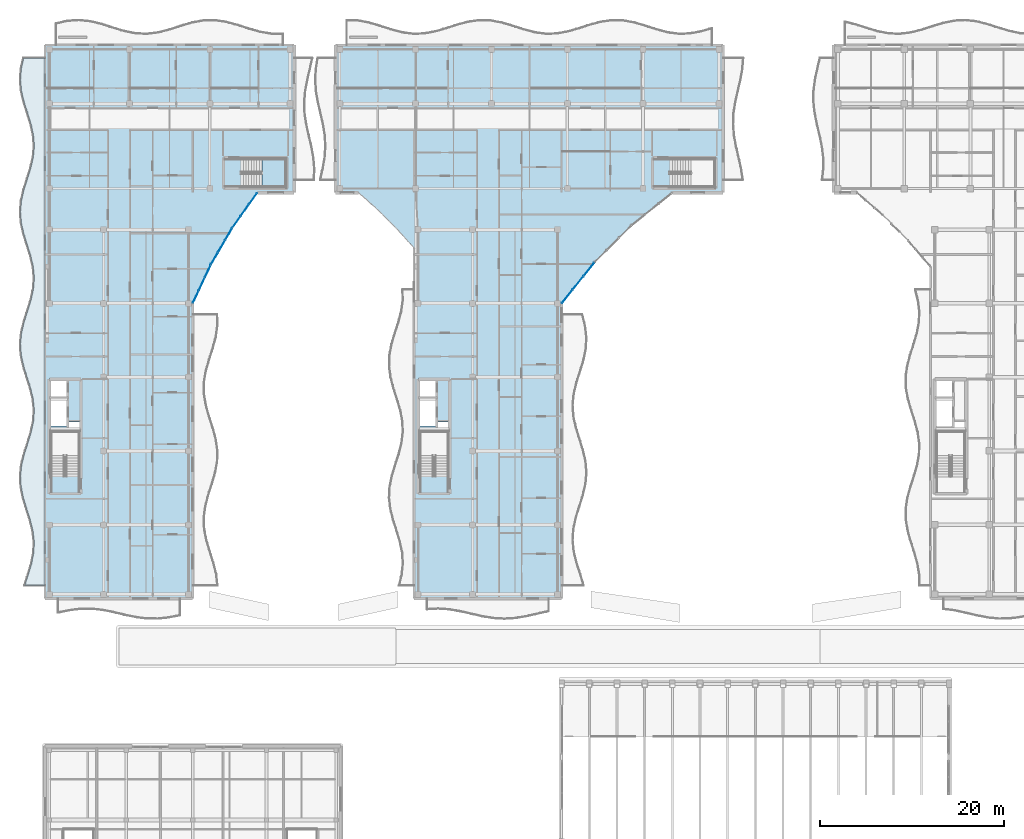
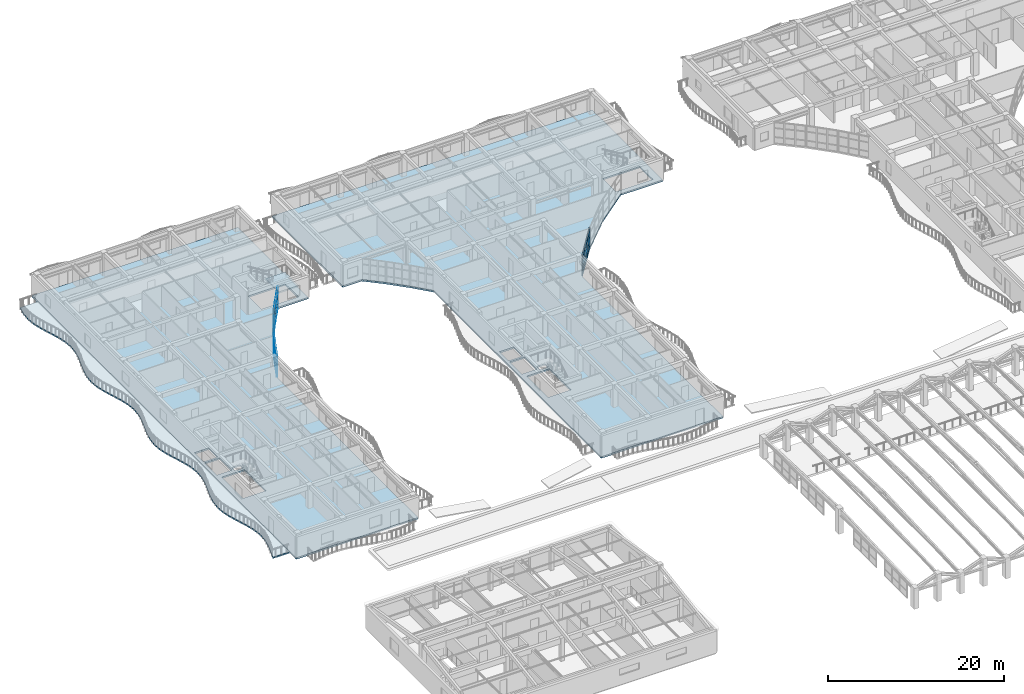
# One storey, part 72 of 128: 36 plates, 4 slabs, 5 elements without a shape of their own.
"""IFC4 building model written with IfcOpenShell, lengths in metres."""

from ifc_helpers import new_model, si_unit, direction, frame, origin, origin_2d, place, context, subcontext, project, spatial, polyline, rectangle, outline, extrude, material, layer, layer_set, type_object, element, aggregate, save


model = new_model("IFC4")

# Units and contexts
model_context = context("Model", 3, precision=1e-05, world=origin(), true_north=direction((0.0, 1.0)))
body_context = subcontext(model_context, "Body", "Model", "MODEL_VIEW")
ifc_project = project(units=[si_unit("LENGTHUNIT", "METRE"), si_unit("AREAUNIT", "SQUARE_METRE"), si_unit("VOLUMEUNIT", "CUBIC_METRE"), si_unit("PLANEANGLEUNIT", "RADIAN"), si_unit("MASSUNIT", "GRAM", prefix="KILO")], contexts=[model_context])

# Site, building, storey
site_placement = place(None, origin())
site = spatial("IfcSite", under=ifc_project, at=site_placement, CompositionType="ELEMENT")
building_placement = place(site_placement, origin())
building = spatial("IfcBuilding", under=site, at=building_placement, Name="Keldmere Railside Commons", CompositionType="ELEMENT")
storey_placement = place(building_placement, frame((0.0, 0.0, 4.159912109375)))
storey = spatial("IfcBuildingStorey", under=building, at=storey_placement, Name="L01", CompositionType="ELEMENT", Elevation=4.159912109375)

# Stair, slab
ifc_material_1 = material(Name="Concrete H-30 (C30/37)", Category="concrete")
stair_type = type_object("IfcStairType", Name="Residential Core Dogleg Stair 1450", PredefinedType="HALF_TURN_STAIR", material=ifc_material_1)
stair_placement = place(storey_placement, origin())
stair = element("IfcStair", 1, at=stair_placement, inside=storey, type_object=stair_type, Name="L01 Block D Secondary Escape Stair 2", PredefinedType="HALF_TURN_STAIR")
ifc_layer_1 = layer(ifc_material_1, 0.199951171875, Name="Enclosed Stair Landing Slab 200")
ifc_layer_set_1 = layer_set([ifc_layer_1], Name="Concrete H-30 (C30/37)")
slab_type_1 = type_object("IfcSlabType", Name="Enclosed Stair Landing Slab 200", PredefinedType="LANDING", material=ifc_layer_set_1)
slab_1_placement = place(storey_placement, frame((0.0, 0.0, 1.400146484375)))
slab_1 = element("IfcSlab", 2, at=slab_1_placement, type_object=slab_type_1, Name="ST-D2 landing 1", PredefinedType="LANDING", context=body_context, shape_type="SweptSolid", body=[
    extrude(outline(polyline([(31.52001953125, 100.60009765625), (34.10009765625, 100.60009765625), (34.10009765625, 103.64990234375), (31.52001953125, 103.64990234375), (31.52001953125, 100.60009765625)])), origin(), (0.0, 0.0, 1.0), 0.199951171875),
])
aggregate(stair, [slab_1])

# Curtain wall, plates
ifc_material_2 = material(Name="Thermally Broken Aluminium", Category="aluminium")
ifc_layer_2 = layer(ifc_material_2, 0.159912109375, Name="Court Chord Wintergarden CW 4800x2850")
ifc_layer_set_2 = layer_set([ifc_layer_2], Name="Thermally Broken Aluminium")
curtain_wall_type_1 = type_object("IfcCurtainWallType", Name="Court Chord Wintergarden CW 4800x2850", PredefinedType="NOTDEFINED", material=ifc_layer_set_2)
curtain_wall_1_placement = place(storey_placement, origin())
curtain_wall_1 = element("IfcCurtainWall", 3, at=curtain_wall_1_placement, inside=storey, type_object=curtain_wall_type_1, Name="CW-12 CW-L01-004", PredefinedType="NOTDEFINED")
ifc_material_3 = material(Name="Insulated Aluminium Spandrel Panel", Category="aluminium")
ifc_layer_3 = layer(ifc_material_3, 0.0439453125, Name="Insulated Ocher Spandrel Panel 44")
ifc_layer_set_3 = layer_set([ifc_layer_3], Name="Insulated Aluminium Spandrel Panel")
plate_type_1 = type_object("IfcPlateType", Name="Insulated Ocher Spandrel Panel 44", PredefinedType="CURTAIN_PANEL", material=ifc_layer_set_3)
plate_1_placement = place(storey_placement, frame((25.636474609375, 91.48779296875, 0.06494140625), z_axis=(0.0, 0.0, 1.0), x_axis=(-0.424759442264, -0.905306255478, 0.0)))
plate_1 = element("IfcPlate", 4, at=plate_1_placement, type_object=plate_type_1, Name="CW-12 panel 1.1", PredefinedType="CURTAIN_PANEL", context=body_context, shape_type="SweptSolid", body=[
    extrude(rectangle(XDim=1.449951171875, YDim=0.0439453125, at=origin_2d()), origin(), (0.0, 0.0, 1.0), 0.802490234375),
])
plate_2_placement = place(storey_placement, frame((25.636474609375, 91.48779296875, 0.9326171875), z_axis=(0.0, 0.0, 1.0), x_axis=(-0.424759442264, -0.905306255478, 0.0)))
plate_2 = element("IfcPlate", 5, at=plate_2_placement, type_object=plate_type_1, Name="CW-12 panel 1.2", PredefinedType="CURTAIN_PANEL", context=body_context, shape_type="SweptSolid", body=[
    extrude(rectangle(XDim=1.449951171875, YDim=0.0439453125, at=origin_2d()), origin(), (0.0, 0.0, 1.0), 1.18505859375),
])
plate_3_placement = place(storey_placement, frame((25.636474609375, 91.48779296875, 2.1826171875), z_axis=(0.0, 0.0, 1.0), x_axis=(-0.424759442264, -0.905306255478, 0.0)))
plate_3 = element("IfcPlate", 6, at=plate_3_placement, type_object=plate_type_1, Name="CW-12 panel 1.3", PredefinedType="CURTAIN_PANEL", context=body_context, shape_type="SweptSolid", body=[
    extrude(rectangle(XDim=1.449951171875, YDim=0.0439453125, at=origin_2d()), origin(), (0.0, 0.0, 1.0), 0.732421875),
])
plate_4_placement = place(storey_placement, frame((24.986083984375, 90.1015625, 0.06494140625), z_axis=(0.0, 0.0, 1.0), x_axis=(-0.424759442264, -0.905306255478, 0.0)))
plate_4 = element("IfcPlate", 7, at=plate_4_placement, type_object=plate_type_1, Name="CW-12 panel 2.1", PredefinedType="CURTAIN_PANEL", context=body_context, shape_type="SweptSolid", body=[
    extrude(rectangle(XDim=1.482421875, YDim=0.0439453125, at=origin_2d()), origin(), (0.0, 0.0, 1.0), 0.802490234375),
])
plate_5_placement = place(storey_placement, frame((24.986083984375, 90.1015625, 0.9326171875), z_axis=(0.0, 0.0, 1.0), x_axis=(-0.424759442264, -0.905306255478, 0.0)))
plate_5 = element("IfcPlate", 8, at=plate_5_placement, type_object=plate_type_1, Name="CW-12 panel 2.2", PredefinedType="CURTAIN_PANEL", context=body_context, shape_type="SweptSolid", body=[
    extrude(rectangle(XDim=1.482421875, YDim=0.0439453125, at=origin_2d()), origin(), (0.0, 0.0, 1.0), 1.18505859375),
])
plate_6_placement = place(storey_placement, frame((24.986083984375, 90.1015625, 2.1826171875), z_axis=(0.0, 0.0, 1.0), x_axis=(-0.424759442264, -0.905306255478, 0.0)))
plate_6 = element("IfcPlate", 9, at=plate_6_placement, type_object=plate_type_1, Name="CW-12 panel 2.3", PredefinedType="CURTAIN_PANEL", context=body_context, shape_type="SweptSolid", body=[
    extrude(rectangle(XDim=1.482421875, YDim=0.0439453125, at=origin_2d()), origin(), (0.0, 0.0, 1.0), 0.732421875),
])
plate_7_placement = place(storey_placement, frame((24.33544921875, 88.71533203125, 0.06494140625), z_axis=(0.0, 0.0, 1.0), x_axis=(-0.424759442264, -0.905306255478, 0.0)))
plate_7 = element("IfcPlate", 10, at=plate_7_placement, type_object=plate_type_1, Name="CW-12 panel 3.1", PredefinedType="CURTAIN_PANEL", context=body_context, shape_type="SweptSolid", body=[
    extrude(rectangle(XDim=1.449951171875, YDim=0.0439453125, at=origin_2d()), origin(), (0.0, 0.0, 1.0), 0.802490234375),
])
plate_8_placement = place(storey_placement, frame((24.33544921875, 88.71533203125, 0.9326171875), z_axis=(0.0, 0.0, 1.0), x_axis=(-0.424759442264, -0.905306255478, 0.0)))
plate_8 = element("IfcPlate", 11, at=plate_8_placement, type_object=plate_type_1, Name="CW-12 panel 3.2", PredefinedType="CURTAIN_PANEL", context=body_context, shape_type="SweptSolid", body=[
    extrude(rectangle(XDim=1.449951171875, YDim=0.0439453125, at=origin_2d()), origin(), (0.0, 0.0, 1.0), 1.18505859375),
])
plate_9_placement = place(storey_placement, frame((24.33544921875, 88.71533203125, 2.1826171875), z_axis=(0.0, 0.0, 1.0), x_axis=(-0.424759442264, -0.905306255478, 0.0)))
plate_9 = element("IfcPlate", 12, at=plate_9_placement, type_object=plate_type_1, Name="CW-12 panel 3.3", PredefinedType="CURTAIN_PANEL", context=body_context, shape_type="SweptSolid", body=[
    extrude(rectangle(XDim=1.449951171875, YDim=0.0439453125, at=origin_2d()), origin(), (0.0, 0.0, 1.0), 0.732421875),
])
aggregate(curtain_wall_1, [plate_1, plate_2, plate_3, plate_4, plate_5, plate_6, plate_7, plate_8, plate_9])

curtain_wall_2_placement = place(storey_placement, origin())
curtain_wall_2 = element("IfcCurtainWall", 13, at=curtain_wall_2_placement, inside=storey, type_object=curtain_wall_type_1, Name="CW-12 CW-L01-006", PredefinedType="NOTDEFINED")
plate_10_placement = place(storey_placement, frame((30.54248046875, 99.355712890625, 0.06494140625), z_axis=(0.0, 0.0, 1.0), x_axis=(-0.578913327753, -0.815389084395, 0.0)))
plate_10 = element("IfcPlate", 14, at=plate_10_placement, type_object=plate_type_1, Name="CW-12 panel 1.1", PredefinedType="CURTAIN_PANEL", context=body_context, shape_type="SweptSolid", body=[
    extrude(rectangle(XDim=1.4501953125, YDim=0.0439453125, at=origin_2d()), origin(), (0.0, 0.0, 1.0), 0.802490234375),
])
plate_11_placement = place(storey_placement, frame((30.54248046875, 99.355712890625, 0.9326171875), z_axis=(0.0, 0.0, 1.0), x_axis=(-0.578913327753, -0.815389084395, 0.0)))
plate_11 = element("IfcPlate", 15, at=plate_11_placement, type_object=plate_type_1, Name="CW-12 panel 1.2", PredefinedType="CURTAIN_PANEL", context=body_context, shape_type="SweptSolid", body=[
    extrude(rectangle(XDim=1.4501953125, YDim=0.0439453125, at=origin_2d()), origin(), (0.0, 0.0, 1.0), 1.18505859375),
])
plate_12_placement = place(storey_placement, frame((30.54248046875, 99.355712890625, 2.1826171875), z_axis=(0.0, 0.0, 1.0), x_axis=(-0.578913327753, -0.815389084395, 0.0)))
plate_12 = element("IfcPlate", 16, at=plate_12_placement, type_object=plate_type_1, Name="CW-12 panel 1.3", PredefinedType="CURTAIN_PANEL", context=body_context, shape_type="SweptSolid", body=[
    extrude(rectangle(XDim=1.4501953125, YDim=0.0439453125, at=origin_2d()), origin(), (0.0, 0.0, 1.0), 0.732421875),
])
plate_13_placement = place(storey_placement, frame((29.656005859375, 98.10693359375, 0.06494140625), z_axis=(0.0, 0.0, 1.0), x_axis=(-0.578913327753, -0.815389084395, 0.0)))
plate_13 = element("IfcPlate", 17, at=plate_13_placement, type_object=plate_type_1, Name="CW-12 panel 2.1", PredefinedType="CURTAIN_PANEL", context=body_context, shape_type="SweptSolid", body=[
    extrude(rectangle(XDim=1.482666015625, YDim=0.0439453125, at=origin_2d()), origin(), (0.0, 0.0, 1.0), 0.802490234375),
])
plate_14_placement = place(storey_placement, frame((29.656005859375, 98.10693359375, 0.9326171875), z_axis=(0.0, 0.0, 1.0), x_axis=(-0.578913327753, -0.815389084395, 0.0)))
plate_14 = element("IfcPlate", 18, at=plate_14_placement, type_object=plate_type_1, Name="CW-12 panel 2.2", PredefinedType="CURTAIN_PANEL", context=body_context, shape_type="SweptSolid", body=[
    extrude(rectangle(XDim=1.482666015625, YDim=0.0439453125, at=origin_2d()), origin(), (0.0, 0.0, 1.0), 1.18505859375),
])
plate_15_placement = place(storey_placement, frame((29.656005859375, 98.10693359375, 2.1826171875), z_axis=(0.0, 0.0, 1.0), x_axis=(-0.578913327753, -0.815389084395, 0.0)))
plate_15 = element("IfcPlate", 19, at=plate_15_placement, type_object=plate_type_1, Name="CW-12 panel 2.3", PredefinedType="CURTAIN_PANEL", context=body_context, shape_type="SweptSolid", body=[
    extrude(rectangle(XDim=1.482666015625, YDim=0.0439453125, at=origin_2d()), origin(), (0.0, 0.0, 1.0), 0.732421875),
])
plate_16_placement = place(storey_placement, frame((28.769287109375, 96.858154296875, 0.06494140625), z_axis=(0.0, 0.0, 1.0), x_axis=(-0.578913327753, -0.815389084395, 0.0)))
plate_16 = element("IfcPlate", 20, at=plate_16_placement, type_object=plate_type_1, Name="CW-12 panel 3.1", PredefinedType="CURTAIN_PANEL", context=body_context, shape_type="SweptSolid", body=[
    extrude(rectangle(XDim=1.4501953125, YDim=0.0439453125, at=origin_2d()), origin(), (0.0, 0.0, 1.0), 0.802490234375),
])
plate_17_placement = place(storey_placement, frame((28.769287109375, 96.858154296875, 0.9326171875), z_axis=(0.0, 0.0, 1.0), x_axis=(-0.578913327753, -0.815389084395, 0.0)))
plate_17 = element("IfcPlate", 21, at=plate_17_placement, type_object=plate_type_1, Name="CW-12 panel 3.2", PredefinedType="CURTAIN_PANEL", context=body_context, shape_type="SweptSolid", body=[
    extrude(rectangle(XDim=1.4501953125, YDim=0.0439453125, at=origin_2d()), origin(), (0.0, 0.0, 1.0), 1.18505859375),
])
plate_18_placement = place(storey_placement, frame((28.769287109375, 96.858154296875, 2.1826171875), z_axis=(0.0, 0.0, 1.0), x_axis=(-0.578913327753, -0.815389084395, 0.0)))
plate_18 = element("IfcPlate", 22, at=plate_18_placement, type_object=plate_type_1, Name="CW-12 panel 3.3", PredefinedType="CURTAIN_PANEL", context=body_context, shape_type="SweptSolid", body=[
    extrude(rectangle(XDim=1.4501953125, YDim=0.0439453125, at=origin_2d()), origin(), (0.0, 0.0, 1.0), 0.732421875),
])
aggregate(curtain_wall_2, [plate_10, plate_11, plate_12, plate_13, plate_14, plate_15, plate_16, plate_17, plate_18])

ifc_layer_4 = layer(ifc_material_2, 0.159912109375, Name="Court Chord Wintergarden CW 5400x2850")
ifc_layer_set_4 = layer_set([ifc_layer_4], Name="Thermally Broken Aluminium")
curtain_wall_type_2 = type_object("IfcCurtainWallType", Name="Court Chord Wintergarden CW 5400x2850", PredefinedType="NOTDEFINED", material=ifc_layer_set_4)
curtain_wall_3_placement = place(storey_placement, origin())
curtain_wall_3 = element("IfcCurtainWall", 23, at=curtain_wall_3_placement, inside=storey, type_object=curtain_wall_type_2, Name="CW-13 CW-L01-005", PredefinedType="NOTDEFINED")
ifc_layer_5 = layer(ifc_material_3, 0.050048828125, Name="Insulated Terracotta Spandrel Panel 50")
ifc_layer_set_5 = layer_set([ifc_layer_5], Name="Insulated Aluminium Spandrel Panel")
plate_type_2 = type_object("IfcPlateType", Name="Insulated Terracotta Spandrel Panel 50", PredefinedType="CURTAIN_PANEL", material=ifc_layer_set_5)
plate_19_placement = place(storey_placement, frame((27.913818359375, 95.531494140625, 0.06494140625), z_axis=(0.0, 0.0, 1.0), x_axis=(-0.503911193272, -0.86375546846, 0.0)))
plate_19 = element("IfcPlate", 24, at=plate_19_placement, type_object=plate_type_2, Name="CW-13 panel 1.1", PredefinedType="CURTAIN_PANEL", context=body_context, shape_type="SweptSolid", body=[
    extrude(rectangle(XDim=1.450439453125, YDim=0.050048828125, at=origin_2d()), origin(), (0.0, 0.0, 1.0), 0.802490234375),
])
plate_20_placement = place(storey_placement, frame((27.913818359375, 95.531494140625, 0.9326171875), z_axis=(0.0, 0.0, 1.0), x_axis=(-0.503911193272, -0.86375546846, 0.0)))
plate_20 = element("IfcPlate", 25, at=plate_20_placement, type_object=plate_type_2, Name="CW-13 panel 1.2", PredefinedType="CURTAIN_PANEL", context=body_context, shape_type="SweptSolid", body=[
    extrude(rectangle(XDim=1.450439453125, YDim=0.050048828125, at=origin_2d()), origin(), (0.0, 0.0, 1.0), 1.18505859375),
])
plate_21_placement = place(storey_placement, frame((27.913818359375, 95.531494140625, 2.1826171875), z_axis=(0.0, 0.0, 1.0), x_axis=(-0.503911193272, -0.86375546846, 0.0)))
plate_21 = element("IfcPlate", 26, at=plate_21_placement, type_object=plate_type_2, Name="CW-13 panel 1.3", PredefinedType="CURTAIN_PANEL", context=body_context, shape_type="SweptSolid", body=[
    extrude(rectangle(XDim=1.450439453125, YDim=0.050048828125, at=origin_2d()), origin(), (0.0, 0.0, 1.0), 0.732421875),
])
plate_22_placement = place(storey_placement, frame((27.14208984375, 94.20849609375, 0.06494140625), z_axis=(0.0, 0.0, 1.0), x_axis=(-0.503911193272, -0.86375546846, 0.0)))
plate_22 = element("IfcPlate", 27, at=plate_22_placement, type_object=plate_type_2, Name="CW-13 panel 2.1", PredefinedType="CURTAIN_PANEL", context=body_context, shape_type="SweptSolid", body=[
    extrude(rectangle(XDim=1.48291015625, YDim=0.050048828125, at=origin_2d()), origin(), (0.0, 0.0, 1.0), 0.802490234375),
])
plate_23_placement = place(storey_placement, frame((27.14208984375, 94.20849609375, 0.9326171875), z_axis=(0.0, 0.0, 1.0), x_axis=(-0.503911193272, -0.86375546846, 0.0)))
plate_23 = element("IfcPlate", 28, at=plate_23_placement, type_object=plate_type_2, Name="CW-13 panel 2.2", PredefinedType="CURTAIN_PANEL", context=body_context, shape_type="SweptSolid", body=[
    extrude(rectangle(XDim=1.48291015625, YDim=0.050048828125, at=origin_2d()), origin(), (0.0, 0.0, 1.0), 1.18505859375),
])
plate_24_placement = place(storey_placement, frame((27.14208984375, 94.20849609375, 2.1826171875), z_axis=(0.0, 0.0, 1.0), x_axis=(-0.503911193272, -0.86375546846, 0.0)))
plate_24 = element("IfcPlate", 29, at=plate_24_placement, type_object=plate_type_2, Name="CW-13 panel 2.3", PredefinedType="CURTAIN_PANEL", context=body_context, shape_type="SweptSolid", body=[
    extrude(rectangle(XDim=1.48291015625, YDim=0.050048828125, at=origin_2d()), origin(), (0.0, 0.0, 1.0), 0.732421875),
])
plate_25_placement = place(storey_placement, frame((26.3701171875, 92.885498046875, 0.06494140625), z_axis=(0.0, 0.0, 1.0), x_axis=(-0.503911193272, -0.86375546846, 0.0)))
plate_25 = element("IfcPlate", 30, at=plate_25_placement, type_object=plate_type_2, Name="CW-13 panel 3.1", PredefinedType="CURTAIN_PANEL", context=body_context, shape_type="SweptSolid", body=[
    extrude(rectangle(XDim=1.450439453125, YDim=0.050048828125, at=origin_2d()), origin(), (0.0, 0.0, 1.0), 0.802490234375),
])
plate_26_placement = place(storey_placement, frame((26.3701171875, 92.885498046875, 0.9326171875), z_axis=(0.0, 0.0, 1.0), x_axis=(-0.503911193272, -0.86375546846, 0.0)))
plate_26 = element("IfcPlate", 31, at=plate_26_placement, type_object=plate_type_2, Name="CW-13 panel 3.2", PredefinedType="CURTAIN_PANEL", context=body_context, shape_type="SweptSolid", body=[
    extrude(rectangle(XDim=1.450439453125, YDim=0.050048828125, at=origin_2d()), origin(), (0.0, 0.0, 1.0), 1.18505859375),
])
plate_27_placement = place(storey_placement, frame((26.3701171875, 92.885498046875, 2.1826171875), z_axis=(0.0, 0.0, 1.0), x_axis=(-0.503911193272, -0.86375546846, 0.0)))
plate_27 = element("IfcPlate", 32, at=plate_27_placement, type_object=plate_type_2, Name="CW-13 panel 3.3", PredefinedType="CURTAIN_PANEL", context=body_context, shape_type="SweptSolid", body=[
    extrude(rectangle(XDim=1.450439453125, YDim=0.050048828125, at=origin_2d()), origin(), (0.0, 0.0, 1.0), 0.732421875),
])
aggregate(curtain_wall_3, [plate_19, plate_20, plate_21, plate_22, plate_23, plate_24, plate_25, plate_26, plate_27])

curtain_wall_4_placement = place(storey_placement, origin())
curtain_wall_4 = element("IfcCurtainWall", 33, at=curtain_wall_4_placement, inside=storey, type_object=curtain_wall_type_1, Name="CW-12 CW-L01-031", PredefinedType="NOTDEFINED")
plate_28_placement = place(storey_placement, frame((66.951416015625, 91.678955078125, 0.06494140625), z_axis=(0.0, 0.0, 1.0), x_axis=(-0.625768080915, -0.780009172323, 0.0)))
plate_28 = element("IfcPlate", 34, at=plate_28_placement, type_object=plate_type_2, Name="CW-12 panel 1.1", PredefinedType="CURTAIN_PANEL", context=body_context, shape_type="SweptSolid", body=[
    extrude(rectangle(XDim=1.795654296875, YDim=0.050048828125, at=origin_2d()), origin(), (0.0, 0.0, 1.0), 0.802490234375),
])
plate_29_placement = place(storey_placement, frame((66.951416015625, 91.678955078125, 0.9326171875), z_axis=(0.0, 0.0, 1.0), x_axis=(-0.625768080915, -0.780009172323, 0.0)))
plate_29 = element("IfcPlate", 35, at=plate_29_placement, type_object=plate_type_2, Name="CW-12 panel 1.2", PredefinedType="CURTAIN_PANEL", context=body_context, shape_type="SweptSolid", body=[
    extrude(rectangle(XDim=1.795654296875, YDim=0.050048828125, at=origin_2d()), origin(), (0.0, 0.0, 1.0), 1.18505859375),
])
plate_30_placement = place(storey_placement, frame((66.951416015625, 91.678955078125, 2.1826171875), z_axis=(0.0, 0.0, 1.0), x_axis=(-0.625768080915, -0.780009172323, 0.0)))
plate_30 = element("IfcPlate", 36, at=plate_30_placement, type_object=plate_type_2, Name="CW-12 panel 1.3", PredefinedType="CURTAIN_PANEL", context=body_context, shape_type="SweptSolid", body=[
    extrude(rectangle(XDim=1.795654296875, YDim=0.050048828125, at=origin_2d()), origin(), (0.0, 0.0, 1.0), 0.732421875),
])
plate_31_placement = place(storey_placement, frame((65.777099609375, 90.215087890625, 0.06494140625), z_axis=(0.0, 0.0, 1.0), x_axis=(-0.625768080915, -0.780009172323, 0.0)))
plate_31 = element("IfcPlate", 37, at=plate_31_placement, type_object=plate_type_2, Name="CW-12 panel 2.1", PredefinedType="CURTAIN_PANEL", context=body_context, shape_type="SweptSolid", body=[
    extrude(rectangle(XDim=1.828125, YDim=0.050048828125, at=origin_2d()), origin(), (0.0, 0.0, 1.0), 0.802490234375),
])
plate_32_placement = place(storey_placement, frame((65.777099609375, 90.215087890625, 0.9326171875), z_axis=(0.0, 0.0, 1.0), x_axis=(-0.625768080915, -0.780009172323, 0.0)))
plate_32 = element("IfcPlate", 38, at=plate_32_placement, type_object=plate_type_2, Name="CW-12 panel 2.2", PredefinedType="CURTAIN_PANEL", context=body_context, shape_type="SweptSolid", body=[
    extrude(rectangle(XDim=1.828125, YDim=0.050048828125, at=origin_2d()), origin(), (0.0, 0.0, 1.0), 1.18505859375),
])
plate_33_placement = place(storey_placement, frame((65.777099609375, 90.215087890625, 2.1826171875), z_axis=(0.0, 0.0, 1.0), x_axis=(-0.625768080915, -0.780009172323, 0.0)))
plate_33 = element("IfcPlate", 39, at=plate_33_placement, type_object=plate_type_2, Name="CW-12 panel 2.3", PredefinedType="CURTAIN_PANEL", context=body_context, shape_type="SweptSolid", body=[
    extrude(rectangle(XDim=1.828125, YDim=0.050048828125, at=origin_2d()), origin(), (0.0, 0.0, 1.0), 0.732421875),
])
plate_34_placement = place(storey_placement, frame((64.6025390625, 88.7509765625, 0.06494140625), z_axis=(0.0, 0.0, 1.0), x_axis=(-0.625768080915, -0.780009172323, 0.0)))
plate_34 = element("IfcPlate", 40, at=plate_34_placement, type_object=plate_type_2, Name="CW-12 panel 3.1", PredefinedType="CURTAIN_PANEL", context=body_context, shape_type="SweptSolid", body=[
    extrude(rectangle(XDim=1.795654296875, YDim=0.050048828125, at=origin_2d()), origin(), (0.0, 0.0, 1.0), 0.802490234375),
])
plate_35_placement = place(storey_placement, frame((64.6025390625, 88.7509765625, 0.9326171875), z_axis=(0.0, 0.0, 1.0), x_axis=(-0.625768080915, -0.780009172323, 0.0)))
plate_35 = element("IfcPlate", 41, at=plate_35_placement, type_object=plate_type_2, Name="CW-12 panel 3.2", PredefinedType="CURTAIN_PANEL", context=body_context, shape_type="SweptSolid", body=[
    extrude(rectangle(XDim=1.795654296875, YDim=0.050048828125, at=origin_2d()), origin(), (0.0, 0.0, 1.0), 1.18505859375),
])
plate_36_placement = place(storey_placement, frame((64.6025390625, 88.7509765625, 2.1826171875), z_axis=(0.0, 0.0, 1.0), x_axis=(-0.625768080915, -0.780009172323, 0.0)))
plate_36 = element("IfcPlate", 42, at=plate_36_placement, type_object=plate_type_2, Name="CW-12 panel 3.3", PredefinedType="CURTAIN_PANEL", context=body_context, shape_type="SweptSolid", body=[
    extrude(rectangle(XDim=1.795654296875, YDim=0.050048828125, at=origin_2d()), origin(), (0.0, 0.0, 1.0), 0.732421875),
])
aggregate(curtain_wall_4, [plate_28, plate_29, plate_30, plate_31, plate_32, plate_33, plate_34, plate_35, plate_36])

# Slabs
ifc_layer_6 = layer(ifc_material_1, 0.219970703125, Name="Residential Flat Slab 220")
ifc_layer_set_6 = layer_set([ifc_layer_6], Name="Concrete H-30 (C30/37)")
slab_type_2 = type_object("IfcSlabType", Name="Residential Flat Slab 220", PredefinedType="FLOOR", material=ifc_layer_set_6)
slab_2_placement = place(storey_placement, frame((0.0, 0.0, -0.219970703125)))
element("IfcSlab", 43, at=slab_2_placement, inside=storey, type_object=slab_type_2, Name="FS-2 BLKD-L01-008", PredefinedType="FLOOR", context=body_context, shape_type="SweptSolid", body=[
    extrude(outline(polyline([(8.0, 56.0), (24.0, 56.0), (24.0, 88.0), (25.971923828125, 92.202880859375), (28.31201171875, 96.214111328125), (31.0, 100.0), (35.0, 100.0), (35.0, 116.0), (8.0, 116.0), (8.0, 56.0)]), holes=[polyline([(11.675048828125, 69.22509765625), (8.675048828125, 69.22509765625), (8.675048828125, 74.074951171875), (11.675048828125, 74.074951171875), (11.675048828125, 69.22509765625)]), polyline([(10.60009765625, 74.419921875), (10.60009765625, 75.159912109375), (11.699951171875, 75.159912109375), (11.699951171875, 74.419921875), (10.60009765625, 74.419921875)]), polyline([(8.39990234375, 74.699951171875), (8.39990234375, 77.5), (10.39990234375, 77.5), (10.39990234375, 74.699951171875), (8.39990234375, 74.699951171875)]), polyline([(8.39990234375, 77.75), (8.39990234375, 79.800048828125), (10.300048828125, 79.800048828125), (10.300048828125, 77.75), (8.39990234375, 77.75)]), polyline([(29.22509765625, 103.625), (34.074951171875, 103.625), (34.074951171875, 100.625), (29.22509765625, 100.625), (29.22509765625, 103.625)])]), origin(), (0.0, 0.0, 1.0), 0.219970703125),
])
slab_3_placement = place(storey_placement, frame((0.0, 0.0, -0.219970703125)))
element("IfcSlab", 44, at=slab_3_placement, inside=storey, type_object=slab_type_2, Name="FS-2 BLKC-L01-021", PredefinedType="FLOOR", context=body_context, shape_type="SweptSolid", body=[
    extrude(outline(polyline([(48.0, 56.0), (64.0, 56.0), (64.0, 88.0), (67.553955078125, 92.429931640625), (71.570068359375, 96.446044921875), (76.0, 100.0), (81.5, 100.0), (81.5, 116.0), (39.5, 116.0), (39.5, 100.0), (42.0, 100.0), (44.10791015625, 98.110107421875), (46.110107421875, 96.10791015625), (48.0, 94.0), (48.0, 56.0)]), holes=[polyline([(48.675048828125, 69.22509765625), (48.675048828125, 74.074951171875), (51.675048828125, 74.074951171875), (51.675048828125, 69.22509765625), (48.675048828125, 69.22509765625)]), polyline([(51.699951171875, 74.419921875), (50.60009765625, 74.419921875), (50.60009765625, 75.159912109375), (51.699951171875, 75.159912109375), (51.699951171875, 74.419921875)]), polyline([(48.39990234375, 74.699951171875), (48.39990234375, 77.5), (50.39990234375, 77.5), (50.39990234375, 74.699951171875), (48.39990234375, 74.699951171875)]), polyline([(48.39990234375, 77.75), (48.39990234375, 79.800048828125), (50.300048828125, 79.800048828125), (50.300048828125, 77.75), (48.39990234375, 77.75)]), polyline([(75.72509765625, 103.625), (80.574951171875, 103.625), (80.574951171875, 100.625), (75.72509765625, 100.625), (75.72509765625, 103.625)])]), origin(), (0.0, 0.0, 1.0), 0.219970703125),
])
ifc_material_4 = material(Name="White Precast Concrete H-35 (C35/45)", Category="concrete")
ifc_layer_7 = layer(ifc_material_4, 0.179931640625, Name="Sinusoidal Wave Balcony Slab 180")
ifc_layer_set_7 = layer_set([ifc_layer_7], Name="White Precast Concrete H-35 (C35/45)")
slab_type_3 = type_object("IfcSlabType", Name="Sinusoidal Wave Balcony Slab 180", PredefinedType="FLOOR", material=ifc_layer_set_7)
slab_4_placement = place(storey_placement, frame((0.0, 0.0, -0.179931640625)))
element("IfcSlab", 45, at=slab_4_placement, inside=storey, type_object=slab_type_3, Name="WB-1 D L01 CW Wave Balcony", PredefinedType="FLOOR", context=body_context, shape_type="SweptSolid", body=[
    extrude(outline(polyline([(8.0, 57.39990234375), (8.0, 58.591796875), (8.0, 59.783203125), (8.0, 60.97509765625), (8.0, 62.166748046875), (8.0, 63.3583984375), (8.0, 64.550048828125), (8.0, 65.74169921875), (8.0, 66.933349609375), (8.0, 68.125), (8.0, 69.316650390625), (8.0, 70.50830078125), (8.0, 71.699951171875), (8.0, 72.8916015625), (8.0, 74.083251953125), (8.0, 75.27490234375), (8.0, 76.466796875), (8.0, 77.658203125), (8.0, 78.85009765625), (8.0, 80.041748046875), (8.0, 81.2333984375), (8.0, 82.425048828125), (8.0, 83.61669921875), (8.0, 84.808349609375), (8.0, 86.0), (8.0, 87.191650390625), (8.0, 88.38330078125), (8.0, 89.574951171875), (8.0, 90.7666015625), (8.0, 91.958251953125), (8.0, 93.14990234375), (8.0, 94.341796875), (8.0, 95.533203125), (8.0, 96.72509765625), (8.0, 97.916748046875), (8.0, 99.1083984375), (8.0, 100.300048828125), (8.0, 101.49169921875), (8.0, 102.683349609375), (8.0, 103.875), (8.0, 105.066650390625), (8.0, 106.25830078125), (8.0, 107.449951171875), (8.0, 108.6416015625), (8.0, 109.833251953125), (8.0, 111.02490234375), (8.0, 112.216796875), (8.0, 113.408203125), (8.0, 114.60009765625), (5.647705078125, 114.60009765625), (5.386474609375, 113.408203125), (5.300537109375, 112.216796875), (5.41259765625, 111.02490234375), (5.693359375, 109.833251953125), (6.068115234375, 108.6416015625), (6.4384765625, 107.449951171875), (6.705810546875, 106.25830078125), (6.7998046875, 105.066650390625), (6.69580078125, 103.875), (6.4208984375, 102.683349609375), (6.048095703125, 101.49169921875), (5.67578125, 100.300048828125), (5.40234375, 99.1083984375), (5.300048828125, 97.916748046875), (5.39599609375, 96.72509765625), (5.664794921875, 95.533203125), (6.035400390625, 94.341796875), (6.409912109375, 93.14990234375), (6.689208984375, 91.958251953125), (6.7998046875, 90.7666015625), (6.7119140625, 89.574951171875), (6.44921875, 88.38330078125), (6.080810546875, 87.191650390625), (5.704345703125, 86.0), (5.41943359375, 84.808349609375), (5.301025390625, 83.61669921875), (5.380615234375, 82.425048828125), (5.63720703125, 81.2333984375), (6.002685546875, 80.041748046875), (6.381103515625, 78.85009765625), (6.671630859375, 77.658203125), (6.798095703125, 76.466796875), (6.7265625, 75.27490234375), (6.476318359375, 74.083251953125), (6.113525390625, 72.8916015625), (5.73388671875, 71.699951171875), (5.437744140625, 70.50830078125), (5.303466796875, 69.316650390625), (5.366455078125, 68.125), (5.6103515625, 66.933349609375), (5.97021484375, 65.74169921875), (6.351318359375, 64.550048828125), (6.652587890625, 63.3583984375), (6.794921875, 62.166748046875), (6.739990234375, 60.97509765625), (6.5029296875, 59.783203125), (6.14599609375, 58.591796875), (5.763916015625, 57.39990234375), (8.0, 57.39990234375)])), origin(), (0.0, 0.0, 1.0), 0.179931640625),
])

save(model, "model.ifc")
